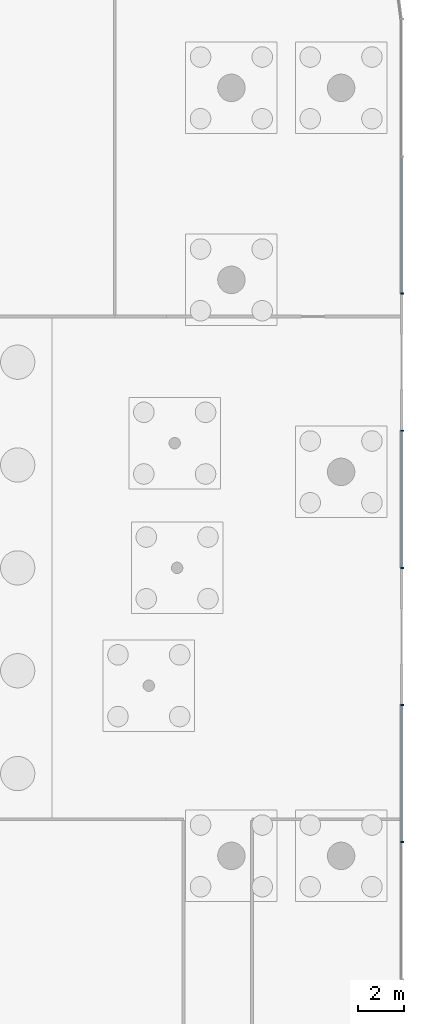
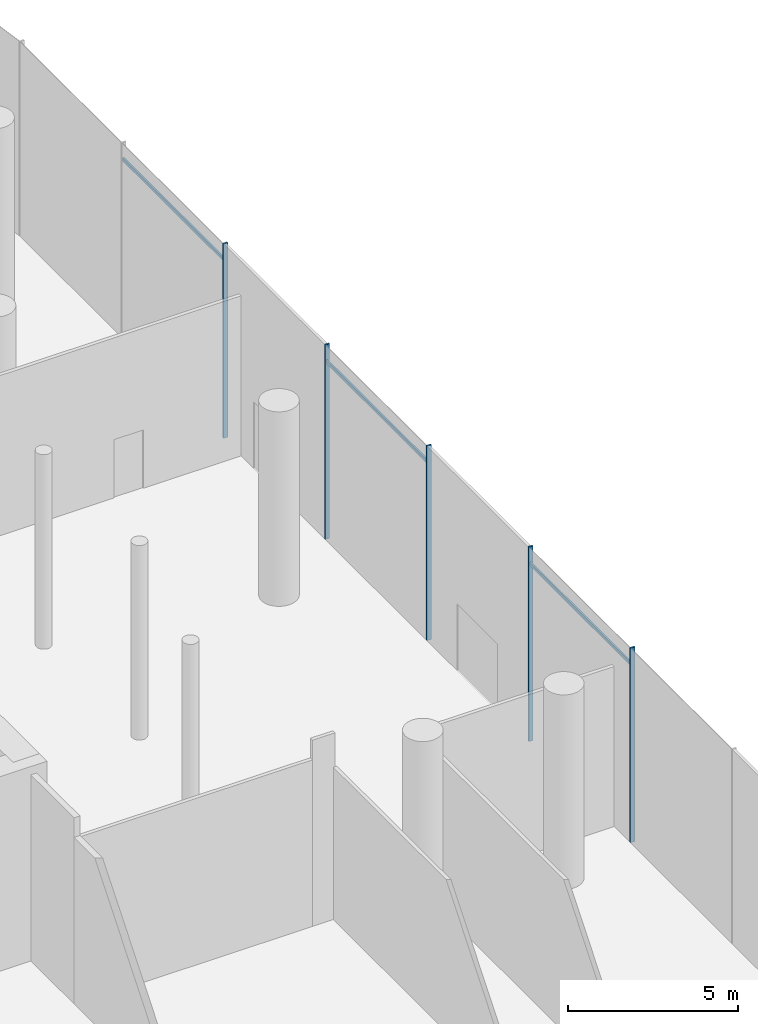
# One storey, part 14 of 41: 8 members, 1 element without a shape of its own.
"""IFC4 building model written with IfcOpenShell, lengths in metres."""

from ifc_helpers import new_model, si_unit, direction, frame, origin, origin_2d, place, context, subcontext, project, spatial, rectangle, extrude, material, material_profile, profile_set, type_object, element, aggregate, save


model = new_model("IFC4")

# Units and contexts
model_context = context("Model", 3, precision=1e-05, world=origin(), true_north=direction((0.0, 1.0)))
body_context = subcontext(model_context, "Body", "Model", "MODEL_VIEW")
ifc_project = project(units=[si_unit("LENGTHUNIT", "METRE"), si_unit("AREAUNIT", "SQUARE_METRE"), si_unit("VOLUMEUNIT", "CUBIC_METRE"), si_unit("PLANEANGLEUNIT", "RADIAN"), si_unit("MASSUNIT", "GRAM", prefix="KILO")], contexts=[model_context])

# Site, building, storey
site_placement = place(None, origin())
site = spatial("IfcSite", under=ifc_project, at=site_placement, CompositionType="ELEMENT")
building_placement = place(site_placement, origin())
building = spatial("IfcBuilding", under=site, at=building_placement, Name="Rimbun Link Towers", CompositionType="ELEMENT")
storey_placement = place(building_placement, origin())
storey = spatial("IfcBuildingStorey", under=building, at=storey_placement, Name="L00", CompositionType="ELEMENT", Elevation=0.0)

# Curtain wall, members
ifc_material_1 = material(Name="Aluminium 6063-T6 and low-iron glass", Category="aluminium")
curtain_wall_type = type_object("IfcCurtainWallType", Name="CW3 podium shopfront", PredefinedType="NOTDEFINED", material=ifc_material_1)
curtain_wall_placement = place(storey_placement, origin())
curtain_wall = element("IfcCurtainWall", 1, at=curtain_wall_placement, inside=storey, type_object=curtain_wall_type, Name="CW3 L00 PD", PredefinedType="NOTDEFINED")
ifc_material_2 = material(Name="Aluminium 6063-T6", Category="aluminium")
ifc_material_profile_1 = material_profile(ifc_material_2, rectangle(XDim=0.14990234375, YDim=0.06005859375, at=origin_2d()), Name="MULLION 60X150")
ifc_profile_set_1 = profile_set([ifc_material_profile_1], Name="Aluminium 6063-T6")
member_type_1 = type_object("IfcMemberType", Name="CW3 mullion 60X150", PredefinedType="MULLION", material=ifc_profile_set_1)
member_1_placement = place(storey_placement, frame((62.074951171875, -12.0, 0.0), z_axis=(0.0, 0.0, 1.0), x_axis=(1.0, 0.0, 0.0)))
member_1 = element("IfcMember", 2, at=member_1_placement, type_object=member_type_1, Name="CW3 mullion", PredefinedType="MULLION", context=body_context, shape_type="SweptSolid", body=[
    extrude(rectangle(XDim=0.14990234375, YDim=0.06005859375, at=origin_2d()), origin(), (0.0, 0.0, 1.0), 7.0),
])
member_2_placement = place(storey_placement, frame((62.074951171875, -6.0, 0.0), z_axis=(0.0, 0.0, 1.0), x_axis=(1.0, 0.0, 0.0)))
member_2 = element("IfcMember", 3, at=member_2_placement, type_object=member_type_1, Name="CW3 mullion", PredefinedType="MULLION", context=body_context, shape_type="SweptSolid", body=[
    extrude(rectangle(XDim=0.14990234375, YDim=0.06005859375, at=origin_2d()), origin(), (0.0, 0.0, 1.0), 7.0),
])
member_3_placement = place(storey_placement, frame((62.074951171875, 0.0, 0.0), z_axis=(0.0, 0.0, 1.0), x_axis=(1.0, 0.0, 0.0)))
member_3 = element("IfcMember", 4, at=member_3_placement, type_object=member_type_1, Name="CW3 mullion", PredefinedType="MULLION", context=body_context, shape_type="SweptSolid", body=[
    extrude(rectangle(XDim=0.14990234375, YDim=0.06005859375, at=origin_2d()), origin(), (0.0, 0.0, 1.0), 7.0),
])
member_4_placement = place(storey_placement, frame((62.074951171875, 6.0, 0.0), z_axis=(0.0, 0.0, 1.0), x_axis=(1.0, 0.0, 0.0)))
member_4 = element("IfcMember", 5, at=member_4_placement, type_object=member_type_1, Name="CW3 mullion", PredefinedType="MULLION", context=body_context, shape_type="SweptSolid", body=[
    extrude(rectangle(XDim=0.14990234375, YDim=0.06005859375, at=origin_2d()), origin(), (0.0, 0.0, 1.0), 7.0),
])
member_5_placement = place(storey_placement, frame((62.074951171875, 12.0, 0.0), z_axis=(0.0, 0.0, 1.0), x_axis=(1.0, 0.0, 0.0)))
member_5 = element("IfcMember", 6, at=member_5_placement, type_object=member_type_1, Name="CW3 mullion", PredefinedType="MULLION", context=body_context, shape_type="SweptSolid", body=[
    extrude(rectangle(XDim=0.14990234375, YDim=0.06005859375, at=origin_2d()), origin(), (0.0, 0.0, 1.0), 7.0),
])
ifc_material_3 = material(Name="Aluminium 6063-T6", Category="aluminium")
ifc_material_profile_2 = material_profile(ifc_material_3, rectangle(XDim=0.06005859375, YDim=0.1201171875, at=origin_2d()), Name="TRANSOM 60X120")
ifc_profile_set_2 = profile_set([ifc_material_profile_2], Name="Aluminium 6063-T6")
member_type_2 = type_object("IfcMemberType", Name="CW3 transom 60X120", PredefinedType="USERDEFINED", material=ifc_profile_set_2)
member_6_placement = place(storey_placement, frame((62.053955078125, -6.030029296875, 6.39990234375), z_axis=(0.0, -1.0, 0.0), x_axis=(1.0, 0.0, 0.0)))
member_6 = element("IfcMember", 7, at=member_6_placement, type_object=member_type_2, Name="CW3 transom", ObjectType="TRANSOM", PredefinedType="USERDEFINED", context=body_context, shape_type="SweptSolid", body=[
    extrude(rectangle(XDim=0.06005859375, YDim=0.1201171875, at=origin_2d()), origin(), (0.0, 0.0, 1.0), 5.93994140625),
])
member_7_placement = place(storey_placement, frame((62.053955078125, 5.969970703125, 6.39990234375), z_axis=(0.0, -1.0, 0.0), x_axis=(1.0, 0.0, 0.0)))
member_7 = element("IfcMember", 8, at=member_7_placement, type_object=member_type_2, Name="CW3 transom", ObjectType="TRANSOM", PredefinedType="USERDEFINED", context=body_context, shape_type="SweptSolid", body=[
    extrude(rectangle(XDim=0.06005859375, YDim=0.1201171875, at=origin_2d()), origin(), (0.0, 0.0, 1.0), 5.93994140625),
])
member_8_placement = place(storey_placement, frame((62.053955078125, 17.969970703125, 6.39990234375), z_axis=(0.0, -1.0, 0.0), x_axis=(1.0, 0.0, 0.0)))
member_8 = element("IfcMember", 9, at=member_8_placement, type_object=member_type_2, Name="CW3 transom", ObjectType="TRANSOM", PredefinedType="USERDEFINED", context=body_context, shape_type="SweptSolid", body=[
    extrude(rectangle(XDim=0.06005859375, YDim=0.1201171875, at=origin_2d()), origin(), (0.0, 0.0, 1.0), 5.93994140625),
])
aggregate(curtain_wall, [member_1, member_2, member_3, member_4, member_5, member_6, member_7, member_8])

save(model, "model.ifc")
